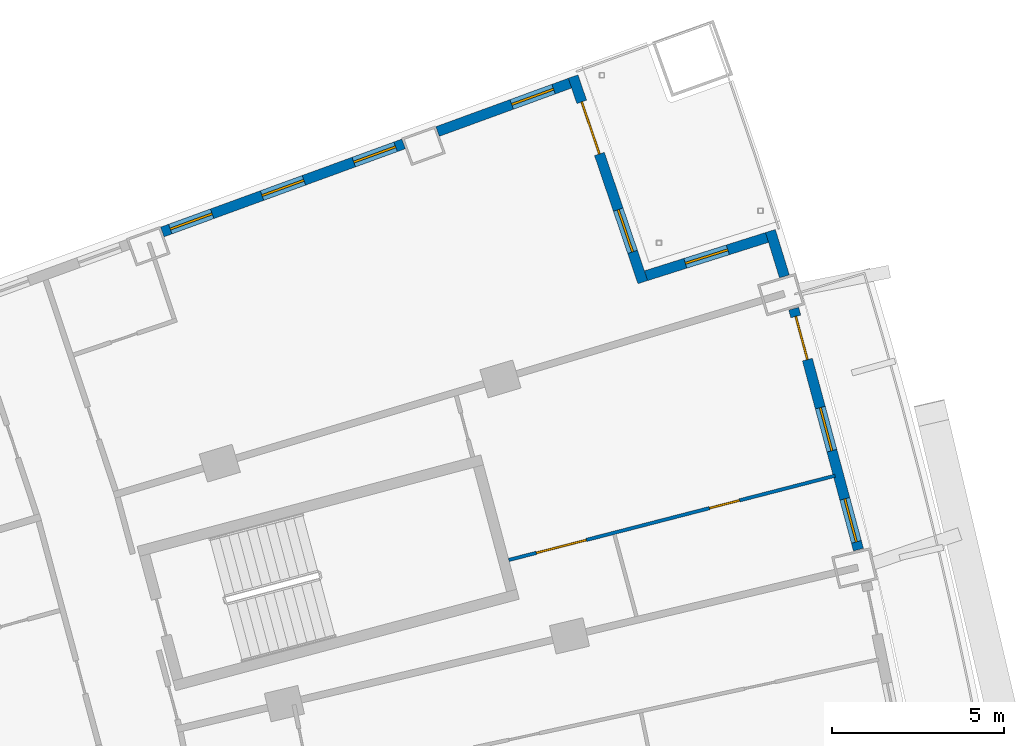
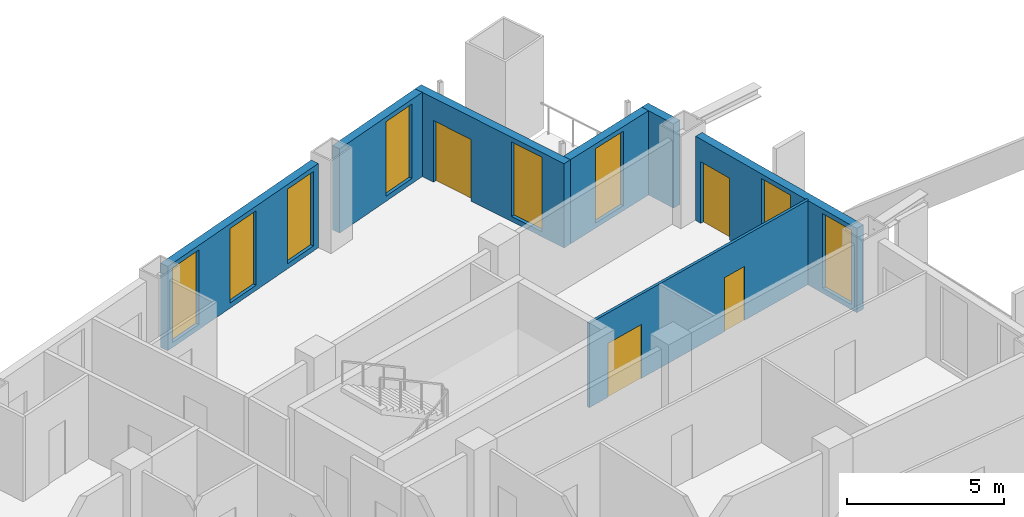
# One storey, part 21 of 25: 8 windows, 7 walls, 4 doors, 12 openings.
"""IFC4 building model written with IfcOpenShell, lengths in metres."""

from ifc_helpers import new_model, si_unit, direction, frame, frame_2d, origin, place, context, subcontext, project, spatial, rectangle, extrude, material, layer, layer_set, type_object, element, fill, save


model = new_model("IFC4")

# Units and contexts
model_context = context("Model", 3, precision=1e-05, world=origin(), true_north=direction((0.0, 1.0)))
body_context = subcontext(model_context, "Body", "Model", "MODEL_VIEW")
ifc_project = project(units=[si_unit("LENGTHUNIT", "METRE"), si_unit("AREAUNIT", "SQUARE_METRE"), si_unit("VOLUMEUNIT", "CUBIC_METRE"), si_unit("PLANEANGLEUNIT", "RADIAN"), si_unit("MASSUNIT", "GRAM", prefix="KILO")], contexts=[model_context])

# Site, building, storey
site_placement = place(None, origin())
site = spatial("IfcSite", under=ifc_project, at=site_placement, CompositionType="ELEMENT")
building_placement = place(site_placement, origin())
building = spatial("IfcBuilding", under=site, at=building_placement, Name="Alderwake Tower", CompositionType="ELEMENT")
storey_placement = place(building_placement, frame((0.0, 0.0, 93.199951171875)))
storey = spatial("IfcBuildingStorey", under=building, at=storey_placement, Name="L22", CompositionType="ELEMENT", Elevation=93.199951171875)

# Wall, openings, door, windows
ifc_material_1 = material(Name="Precast concrete C50/60 spandrel panel", Category="concrete")
ifc_layer_1 = layer(ifc_material_1, 0.300048828125)
ifc_layer_set_1 = layer_set([ifc_layer_1], Name="External wall EW1 Precast concrete C50/60 spandrel")
wall_type_1 = type_object("IfcWallType", Name="External wall EW1 Precast concrete C50/60 spandrel", PredefinedType="SOLIDWALL", material=ifc_layer_set_1)
wall_1_placement = place(storey_placement, frame((57.681884765625, 94.234375, 0.0), z_axis=(0.0, 0.0, 1.0), x_axis=(-0.259469611771, 0.96575127262, 0.0)))
wall_1 = element("IfcWall", 1, at=wall_1_placement, inside=storey, type_object=wall_type_1, Name="External wall 21", PredefinedType="SOLIDWALL", context=body_context, shape_type="SweptSolid", body=[
    extrude(rectangle(XDim=7.263916015625, YDim=0.300048828125, at=frame_2d((3.6318359375, 0.0))), origin(), (0.0, 0.0, 1.0), 3.280029296875),
])
opening_1_placement = place(wall_1_placement, frame((0.23291015625, 0.0, 0.199951171875)))
opening_1 = element("IfcOpeningElement", 2, at=opening_1_placement, cuts=wall_1, Name="Opening W1", PredefinedType="OPENING", context=body_context, shape_type="SweptSolid", body=[
    extrude(rectangle(XDim=1.300048828125, YDim=2.89990234375, at=frame_2d((0.64990234375, 1.449951171875))), frame((0.0, 0.159912109375, 0.0), z_axis=(0.0, -1.0, 0.0), x_axis=(1.0, 0.0, 0.0)), (0.0, 0.0, 1.0), 0.320068359375),
])
opening_2_placement = place(wall_1_placement, frame((2.98193359375, 0.0, 0.199951171875)))
opening_2 = element("IfcOpeningElement", 3, at=opening_2_placement, cuts=wall_1, Name="Opening W1", PredefinedType="OPENING", context=body_context, shape_type="SweptSolid", body=[
    extrude(rectangle(XDim=1.300048828125, YDim=2.89990234375, at=frame_2d((0.64990234375, 1.449951171875))), frame((0.0, 0.159912109375, 0.0), z_axis=(0.0, -1.0, 0.0), x_axis=(1.0, 0.0, 0.0)), (0.0, 0.0, 1.0), 0.320068359375),
])
opening_3_placement = place(wall_1_placement, frame((5.73095703125, 0.0, 0.0)))
opening_3 = element("IfcOpeningElement", 4, at=opening_3_placement, cuts=wall_1, Name="Opening D11", PredefinedType="OPENING", context=body_context, shape_type="SweptSolid", body=[
    extrude(rectangle(XDim=1.300048828125, YDim=2.39990234375, at=frame_2d((0.64990234375, 1.199951171875))), frame((0.0, 0.159912109375, 0.0), z_axis=(0.0, -1.0, 0.0), x_axis=(1.0, 0.0, 0.0)), (0.0, 0.0, 1.0), 0.320068359375),
])
ifc_material_2 = material(Name="Bronze tinted glass in aluminium frame", Category="aluminium")
door_type_1 = type_object("IfcDoorType", Name="Balcony door BD sliding", OperationType="SLIDING_TO_LEFT", PredefinedType="DOOR", material=ifc_material_2)
door_1_placement = place(opening_3_placement, origin())
door_1 = element("IfcDoor", 5, at=door_1_placement, inside=storey, type_object=door_type_1, Name="Door D11", OperationType="SLIDING_TO_LEFT", OverallHeight=2.39990234375, OverallWidth=1.300048828125, PredefinedType="DOOR", context=body_context, shape_type="SweptSolid", body=[
    extrude(rectangle(XDim=1.300048828125, YDim=2.39990234375, at=frame_2d((0.64990234375, 1.199951171875))), frame((0.0, 0.02490234375, 0.0), z_axis=(0.0, -1.0, 0.0), x_axis=(1.0, 0.0, 0.0)), (0.0, 0.0, 1.0), 0.050048828125),
])
fill(opening_3, door_1)
ifc_material_3 = material(Name="Bronze tinted glass in aluminium frame", Category="aluminium")
window_type = type_object("IfcWindowType", Name="Window W1 tall fixed and vent", PartitioningType="DOUBLE_PANEL_VERTICAL", PredefinedType="WINDOW", material=ifc_material_3)
window_1_placement = place(opening_1_placement, origin())
window_1 = element("IfcWindow", 6, at=window_1_placement, inside=storey, type_object=window_type, Name="Window W1 tall fixed and vent", OverallHeight=2.89990234375, OverallWidth=1.300048828125, PartitioningType="DOUBLE_PANEL_VERTICAL", PredefinedType="WINDOW", context=body_context, shape_type="SweptSolid", body=[
    extrude(rectangle(XDim=1.300048828125, YDim=2.89990234375, at=frame_2d((0.64990234375, 1.449951171875))), frame((0.0, 0.030029296875, 0.0), z_axis=(0.0, -1.0, 0.0), x_axis=(1.0, 0.0, 0.0)), (0.0, 0.0, 1.0), 0.06005859375),
])
fill(opening_1, window_1)
window_2_placement = place(opening_2_placement, origin())
window_2 = element("IfcWindow", 7, at=window_2_placement, inside=storey, type_object=window_type, Name="Window W1 tall fixed and vent", OverallHeight=2.89990234375, OverallWidth=1.300048828125, PartitioningType="DOUBLE_PANEL_VERTICAL", PredefinedType="WINDOW", context=body_context, shape_type="SweptSolid", body=[
    extrude(rectangle(XDim=1.300048828125, YDim=2.89990234375, at=frame_2d((0.64990234375, 1.449951171875))), frame((0.0, 0.030029296875, 0.0), z_axis=(0.0, -1.0, 0.0), x_axis=(1.0, 0.0, 0.0)), (0.0, 0.0, 1.0), 0.06005859375),
])
fill(opening_2, window_2)

# Wall
wall_2_placement = place(storey_placement, frame((55.52587890625, 102.19091796875, 0.0), z_axis=(0.0, 0.0, 1.0), x_axis=(-0.294407922697, 0.955679849664, 0.0)))
element("IfcWall", 8, at=wall_2_placement, inside=storey, type_object=wall_type_1, Name="External wall 22", PredefinedType="SOLIDWALL", context=body_context, shape_type="SweptSolid", body=[
    extrude(rectangle(XDim=1.384765625, YDim=0.300048828125, at=frame_2d((0.6923828125, 0.0))), origin(), (0.0, 0.0, 1.0), 3.280029296875),
])

# Wall, opening, window
ifc_material_4 = material(Name="Bronze metal cladding on lightweight framing")
ifc_layer_2 = layer(ifc_material_4, 0.300048828125)
ifc_layer_set_2 = layer_set([ifc_layer_2], Name="External wall EW2 bronze metal cladding")
wall_type_2 = type_object("IfcWallType", Name="External wall EW2 bronze metal cladding", PredefinedType="SOLIDWALL", material=ifc_layer_set_2)
wall_3_placement = place(storey_placement, frame((55.019287109375, 103.32568359375, 0.0), z_axis=(0.0, 0.0, 1.0), x_axis=(-0.953472737628, -0.301479250697, 0.0)))
wall_3 = element("IfcWall", 9, at=wall_3_placement, inside=storey, type_object=wall_type_2, Name="External wall 23", PredefinedType="SOLIDWALL", context=body_context, shape_type="SweptSolid", body=[
    extrude(rectangle(XDim=3.6943359375, YDim=0.300048828125, at=frame_2d((1.84716796875, 0.0))), origin(), (0.0, 0.0, 1.0), 3.280029296875),
])
opening_4_placement = place(wall_3_placement, frame((1.197021484375, 0.0, 0.199951171875)))
opening_4 = element("IfcOpeningElement", 10, at=opening_4_placement, cuts=wall_3, Name="Opening W1", PredefinedType="OPENING", context=body_context, shape_type="SweptSolid", body=[
    extrude(rectangle(XDim=1.300048828125, YDim=2.89990234375, at=frame_2d((0.64990234375, 1.449951171875))), frame((0.0, 0.159912109375, 0.0), z_axis=(0.0, -1.0, 0.0), x_axis=(1.0, 0.0, 0.0)), (0.0, 0.0, 1.0), 0.320068359375),
])
window_3_placement = place(opening_4_placement, origin())
window_3 = element("IfcWindow", 11, at=window_3_placement, inside=storey, type_object=window_type, Name="Window W1 tall fixed and vent", OverallHeight=2.89990234375, OverallWidth=1.300048828125, PartitioningType="DOUBLE_PANEL_VERTICAL", PredefinedType="WINDOW", context=body_context, shape_type="SweptSolid", body=[
    extrude(rectangle(XDim=1.300048828125, YDim=2.89990234375, at=frame_2d((0.64990234375, 1.449951171875))), frame((0.0, 0.030029296875, 0.0), z_axis=(0.0, -1.0, 0.0), x_axis=(1.0, 0.0, 0.0)), (0.0, 0.0, 1.0), 0.06005859375),
])
fill(opening_4, window_3)

# Wall, openings, door, window
wall_4_placement = place(storey_placement, frame((51.402099609375, 102.024658203125, 0.0), z_axis=(0.0, 0.0, 1.0), x_axis=(-0.320927729287, 0.947103686285, 0.0)))
wall_4 = element("IfcWall", 12, at=wall_4_placement, inside=storey, type_object=wall_type_2, Name="External wall 24", PredefinedType="SOLIDWALL", context=body_context, shape_type="SweptSolid", body=[
    extrude(rectangle(XDim=6.32177734375, YDim=0.300048828125, at=frame_2d((3.160888671875, 0.0))), origin(), (0.0, 0.0, 1.0), 3.280029296875),
])
opening_5_placement = place(wall_4_placement, frame((0.930419921875, 0.0, 0.199951171875)))
opening_5 = element("IfcOpeningElement", 13, at=opening_5_placement, cuts=wall_4, Name="Opening W1", PredefinedType="OPENING", context=body_context, shape_type="SweptSolid", body=[
    extrude(rectangle(XDim=1.300048828125, YDim=2.89990234375, at=frame_2d((0.64990234375, 1.449951171875))), frame((0.0, 0.159912109375, 0.0), z_axis=(0.0, -1.0, 0.0), x_axis=(1.0, 0.0, 0.0)), (0.0, 0.0, 1.0), 0.320068359375),
])
opening_6_placement = place(wall_4_placement, frame((3.94140625, 0.0, 0.0)))
opening_6 = element("IfcOpeningElement", 14, at=opening_6_placement, cuts=wall_4, Name="Opening D12", PredefinedType="OPENING", context=body_context, shape_type="SweptSolid", body=[
    extrude(rectangle(XDim=1.60009765625, YDim=2.39990234375, at=frame_2d((0.800048828125, 1.199951171875))), frame((0.0, 0.159912109375, 0.0), z_axis=(0.0, -1.0, 0.0), x_axis=(1.0, 0.0, 0.0)), (0.0, 0.0, 1.0), 0.320068359375),
])
ifc_material_5 = material(Name="Bronze tinted glass in aluminium frame", Category="aluminium")
door_type_2 = type_object("IfcDoorType", Name="Terrace door TD sliding", OperationType="SLIDING_TO_LEFT", PredefinedType="DOOR", material=ifc_material_5)
door_2_placement = place(opening_6_placement, origin())
door_2 = element("IfcDoor", 15, at=door_2_placement, inside=storey, type_object=door_type_2, Name="Door D12", OperationType="SLIDING_TO_LEFT", OverallHeight=2.39990234375, OverallWidth=1.60009765625, PredefinedType="DOOR", context=body_context, shape_type="SweptSolid", body=[
    extrude(rectangle(XDim=1.60009765625, YDim=2.39990234375, at=frame_2d((0.800048828125, 1.199951171875))), frame((0.0, 0.02490234375, 0.0), z_axis=(0.0, -1.0, 0.0), x_axis=(1.0, 0.0, 0.0)), (0.0, 0.0, 1.0), 0.050048828125),
])
fill(opening_6, door_2)
window_4_placement = place(opening_5_placement, origin())
window_4 = element("IfcWindow", 16, at=window_4_placement, inside=storey, type_object=window_type, Name="Window W1 tall fixed and vent", OverallHeight=2.89990234375, OverallWidth=1.300048828125, PartitioningType="DOUBLE_PANEL_VERTICAL", PredefinedType="WINDOW", context=body_context, shape_type="SweptSolid", body=[
    extrude(rectangle(XDim=1.300048828125, YDim=2.89990234375, at=frame_2d((0.64990234375, 1.449951171875))), frame((0.0, 0.030029296875, 0.0), z_axis=(0.0, -1.0, 0.0), x_axis=(1.0, 0.0, 0.0)), (0.0, 0.0, 1.0), 0.06005859375),
])
fill(opening_5, window_4)

# Wall, opening, window
wall_5_placement = place(storey_placement, frame((49.280517578125, 107.818603515625, 0.0), z_axis=(0.0, 0.0, 1.0), x_axis=(-0.93936370706, -0.342922477913, 0.0)))
wall_5 = element("IfcWall", 17, at=wall_5_placement, inside=storey, type_object=wall_type_2, Name="External wall 25", PredefinedType="SOLIDWALL", context=body_context, shape_type="SweptSolid", body=[
    extrude(rectangle(XDim=4.104248046875, YDim=0.300048828125, at=frame_2d((2.05224609375, 0.0))), origin(), (0.0, 0.0, 1.0), 3.280029296875),
])
opening_7_placement = place(wall_5_placement, frame((0.5078125, 0.0, 0.199951171875)))
opening_7 = element("IfcOpeningElement", 18, at=opening_7_placement, cuts=wall_5, Name="Opening W1", PredefinedType="OPENING", context=body_context, shape_type="SweptSolid", body=[
    extrude(rectangle(XDim=1.300048828125, YDim=2.89990234375, at=frame_2d((0.64990234375, 1.449951171875))), frame((0.0, 0.159912109375, 0.0), z_axis=(0.0, -1.0, 0.0), x_axis=(1.0, 0.0, 0.0)), (0.0, 0.0, 1.0), 0.320068359375),
])
window_5_placement = place(opening_7_placement, origin())
window_5 = element("IfcWindow", 19, at=window_5_placement, inside=storey, type_object=window_type, Name="Window W1 tall fixed and vent", OverallHeight=2.89990234375, OverallWidth=1.300048828125, PartitioningType="DOUBLE_PANEL_VERTICAL", PredefinedType="WINDOW", context=body_context, shape_type="SweptSolid", body=[
    extrude(rectangle(XDim=1.300048828125, YDim=2.89990234375, at=frame_2d((0.64990234375, 1.449951171875))), frame((0.0, 0.030029296875, 0.0), z_axis=(0.0, -1.0, 0.0), x_axis=(1.0, 0.0, 0.0)), (0.0, 0.0, 1.0), 0.06005859375),
])
fill(opening_7, window_5)

# Wall, openings, windows
wall_6_placement = place(storey_placement, frame((44.43505859375, 106.0498046875, 0.0), z_axis=(0.0, 0.0, 1.0), x_axis=(-0.939370505087, -0.342903855582, 0.0)))
wall_6 = element("IfcWall", 20, at=wall_6_placement, inside=storey, type_object=wall_type_2, Name="External wall 26", PredefinedType="SOLIDWALL", context=body_context, shape_type="SweptSolid", body=[
    extrude(rectangle(XDim=7.479248046875, YDim=0.300048828125, at=frame_2d((3.73974609375, 0.0))), origin(), (0.0, 0.0, 1.0), 3.280029296875),
])
opening_8_placement = place(wall_6_placement, frame((0.245361328125, 0.0, 0.199951171875)))
opening_8 = element("IfcOpeningElement", 21, at=opening_8_placement, cuts=wall_6, Name="Opening W1", PredefinedType="OPENING", context=body_context, shape_type="SweptSolid", body=[
    extrude(rectangle(XDim=1.300048828125, YDim=2.89990234375, at=frame_2d((0.64990234375, 1.449951171875))), frame((0.0, 0.159912109375, 0.0), z_axis=(0.0, -1.0, 0.0), x_axis=(1.0, 0.0, 0.0)), (0.0, 0.0, 1.0), 0.320068359375),
])
opening_9_placement = place(wall_6_placement, frame((3.08984375, 0.0, 0.199951171875)))
opening_9 = element("IfcOpeningElement", 22, at=opening_9_placement, cuts=wall_6, Name="Opening W1", PredefinedType="OPENING", context=body_context, shape_type="SweptSolid", body=[
    extrude(rectangle(XDim=1.300048828125, YDim=2.89990234375, at=frame_2d((0.64990234375, 1.449951171875))), frame((0.0, 0.159912109375, 0.0), z_axis=(0.0, -1.0, 0.0), x_axis=(1.0, 0.0, 0.0)), (0.0, 0.0, 1.0), 0.320068359375),
])
opening_10_placement = place(wall_6_placement, frame((5.934326171875, 0.0, 0.199951171875)))
opening_10 = element("IfcOpeningElement", 23, at=opening_10_placement, cuts=wall_6, Name="Opening W1", PredefinedType="OPENING", context=body_context, shape_type="SweptSolid", body=[
    extrude(rectangle(XDim=1.300048828125, YDim=2.89990234375, at=frame_2d((0.64990234375, 1.449951171875))), frame((0.0, 0.159912109375, 0.0), z_axis=(0.0, -1.0, 0.0), x_axis=(1.0, 0.0, 0.0)), (0.0, 0.0, 1.0), 0.320068359375),
])
window_6_placement = place(opening_8_placement, origin())
window_6 = element("IfcWindow", 24, at=window_6_placement, inside=storey, type_object=window_type, Name="Window W1 tall fixed and vent", OverallHeight=2.89990234375, OverallWidth=1.300048828125, PartitioningType="DOUBLE_PANEL_VERTICAL", PredefinedType="WINDOW", context=body_context, shape_type="SweptSolid", body=[
    extrude(rectangle(XDim=1.300048828125, YDim=2.89990234375, at=frame_2d((0.64990234375, 1.449951171875))), frame((0.0, 0.030029296875, 0.0), z_axis=(0.0, -1.0, 0.0), x_axis=(1.0, 0.0, 0.0)), (0.0, 0.0, 1.0), 0.06005859375),
])
fill(opening_8, window_6)
window_7_placement = place(opening_9_placement, origin())
window_7 = element("IfcWindow", 25, at=window_7_placement, inside=storey, type_object=window_type, Name="Window W1 tall fixed and vent", OverallHeight=2.89990234375, OverallWidth=1.300048828125, PartitioningType="DOUBLE_PANEL_VERTICAL", PredefinedType="WINDOW", context=body_context, shape_type="SweptSolid", body=[
    extrude(rectangle(XDim=1.300048828125, YDim=2.89990234375, at=frame_2d((0.64990234375, 1.449951171875))), frame((0.0, 0.030029296875, 0.0), z_axis=(0.0, -1.0, 0.0), x_axis=(1.0, 0.0, 0.0)), (0.0, 0.0, 1.0), 0.06005859375),
])
fill(opening_9, window_7)
window_8_placement = place(opening_10_placement, origin())
window_8 = element("IfcWindow", 26, at=window_8_placement, inside=storey, type_object=window_type, Name="Window W1 tall fixed and vent", OverallHeight=2.89990234375, OverallWidth=1.300048828125, PartitioningType="DOUBLE_PANEL_VERTICAL", PredefinedType="WINDOW", context=body_context, shape_type="SweptSolid", body=[
    extrude(rectangle(XDim=1.300048828125, YDim=2.89990234375, at=frame_2d((0.64990234375, 1.449951171875))), frame((0.0, 0.030029296875, 0.0), z_axis=(0.0, -1.0, 0.0), x_axis=(1.0, 0.0, 0.0)), (0.0, 0.0, 1.0), 0.06005859375),
])
fill(opening_10, window_8)

# Wall, openings, doors
ifc_material_6 = material(Name="Gypsum board on metal studs")
ifc_layer_3 = layer(ifc_material_6, 0.10009765625)
ifc_layer_set_3 = layer_set([ifc_layer_3], Name="Unit partition 100")
wall_type_3 = type_object("IfcWallType", Name="Unit partition 100", PredefinedType="PARTITIONING", material=ifc_layer_set_3)
wall_7_placement = place(storey_placement, frame((47.4990234375, 93.93310546875, 0.0), z_axis=(0.0, 0.0, 1.0), x_axis=(0.968228176194, 0.250068388296, 0.0)))
wall_7 = element("IfcWall", 27, at=wall_7_placement, inside=storey, type_object=wall_type_3, Name="WL/L22/W80", PredefinedType="PARTITIONING", context=body_context, shape_type="SweptSolid", body=[
    extrude(rectangle(XDim=9.812744140625, YDim=0.10009765625, at=frame_2d((4.90625, 0.0))), origin(), (0.0, 0.0, 1.0), 3.280029296875),
])
opening_11_placement = place(wall_7_placement, frame((0.831787109375, 0.0, 0.0)))
opening_11 = element("IfcOpeningElement", 28, at=opening_11_placement, cuts=wall_7, Name="Opening R06-U02.2", PredefinedType="OPENING", context=body_context, shape_type="SweptSolid", body=[
    extrude(rectangle(XDim=1.5, YDim=2.10009765625, at=frame_2d((0.75, 1.050048828125))), frame((0.0, 0.06005859375, 0.0), z_axis=(0.0, -1.0, 0.0), x_axis=(1.0, 0.0, 0.0)), (0.0, 0.0, 1.0), 0.1201171875),
])
opening_12_placement = place(wall_7_placement, frame((6.0380859375, 0.0, 0.0)))
opening_12 = element("IfcOpeningElement", 29, at=opening_12_placement, cuts=wall_7, Name="Opening R06-U02.3", PredefinedType="OPENING", context=body_context, shape_type="SweptSolid", body=[
    extrude(rectangle(XDim=0.89990234375, YDim=2.10009765625, at=frame_2d((0.449951171875, 1.050048828125))), frame((0.0, 0.06005859375, 0.0), z_axis=(0.0, -1.0, 0.0), x_axis=(1.0, 0.0, 0.0)), (0.0, 0.0, 1.0), 0.1201171875),
])
ifc_material_7 = material(Name="Painted timber leaves", Category="wood")
door_type_3 = type_object("IfcDoorType", Name="Double leaf door 1500", OperationType="DOUBLE_DOOR_SINGLE_SWING", PredefinedType="DOOR", material=ifc_material_7)
door_3_placement = place(opening_11_placement, origin())
door_3 = element("IfcDoor", 30, at=door_3_placement, inside=storey, type_object=door_type_3, Name="DR/L22/U02.2", OperationType="DOUBLE_DOOR_SINGLE_SWING", OverallHeight=2.10009765625, OverallWidth=1.5, PredefinedType="DOOR", context=body_context, shape_type="SweptSolid", body=[
    extrude(rectangle(XDim=1.5, YDim=2.10009765625, at=frame_2d((0.75, 1.050048828125))), frame((0.0, 0.02490234375, 0.0), z_axis=(0.0, -1.0, 0.0), x_axis=(1.0, 0.0, 0.0)), (0.0, 0.0, 1.0), 0.050048828125),
])
fill(opening_11, door_3)
ifc_material_8 = material(Name="Painted timber leaf", Category="wood")
door_type_4 = type_object("IfcDoorType", Name="Room door 900", OperationType="SINGLE_SWING_LEFT", PredefinedType="DOOR", material=ifc_material_8)
door_4_placement = place(opening_12_placement, origin())
door_4 = element("IfcDoor", 31, at=door_4_placement, inside=storey, type_object=door_type_4, Name="DR/L22/U02.3", OperationType="SINGLE_SWING_LEFT", OverallHeight=2.10009765625, OverallWidth=0.89990234375, PredefinedType="DOOR", context=body_context, shape_type="SweptSolid", body=[
    extrude(rectangle(XDim=0.89990234375, YDim=2.10009765625, at=frame_2d((0.449951171875, 1.050048828125))), frame((0.0, 0.02490234375, 0.0), z_axis=(0.0, -1.0, 0.0), x_axis=(1.0, 0.0, 0.0)), (0.0, 0.0, 1.0), 0.050048828125),
])
fill(opening_12, door_4)

save(model, "model.ifc")
